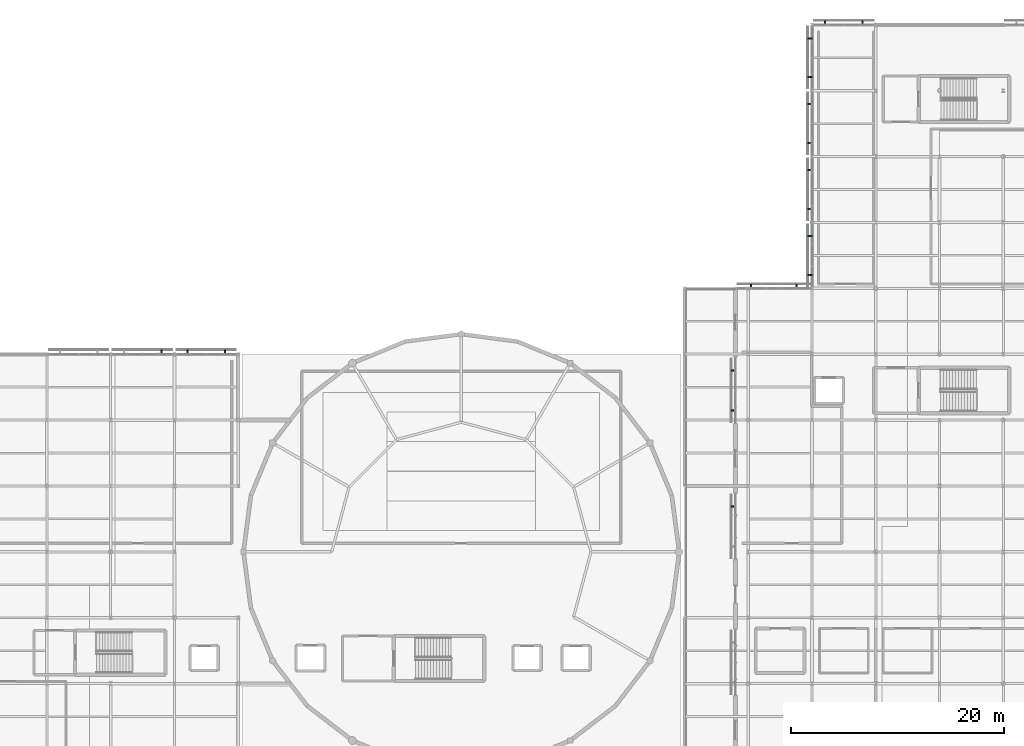
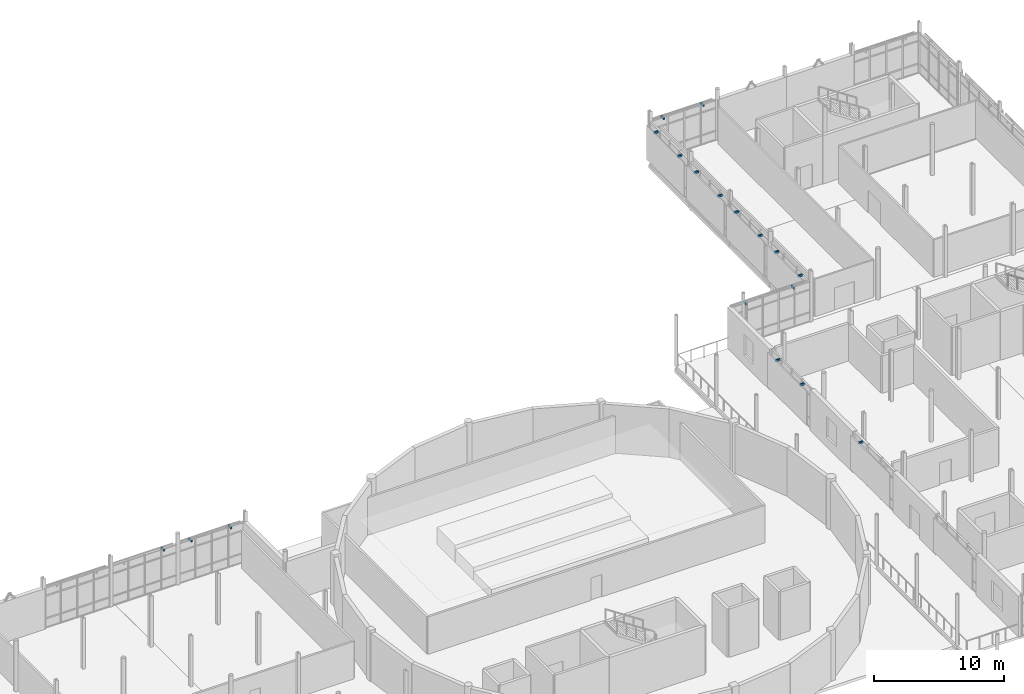
# One storey, part 68 of 84: 18 discrete accessories.
"""IFC4 building model written with IfcOpenShell, lengths in metres."""

from ifc_helpers import new_model, si_unit, direction, frame, origin, origin_2d, place, context, subcontext, project, spatial, rectangle, extrude, material, type_object, element, save


model = new_model("IFC4")

# Units and contexts
model_context = context("Model", 3, precision=1e-05, world=origin(), true_north=direction((0.0, 1.0)))
body_context = subcontext(model_context, "Body", "Model", "MODEL_VIEW")
ifc_project = project(units=[si_unit("LENGTHUNIT", "METRE"), si_unit("AREAUNIT", "SQUARE_METRE"), si_unit("VOLUMEUNIT", "CUBIC_METRE"), si_unit("PLANEANGLEUNIT", "RADIAN"), si_unit("MASSUNIT", "GRAM", prefix="KILO")], contexts=[model_context])

# Site, building, storey
site_placement = place(None, origin())
site = spatial("IfcSite", under=ifc_project, at=site_placement, CompositionType="ELEMENT")
building_placement = place(site_placement, origin())
building = spatial("IfcBuilding", under=site, at=building_placement, Name="Mirzam Square Science Centre", CompositionType="ELEMENT")
storey_placement = place(building_placement, frame((0.0, 0.0, 10.800048828125)))
storey = spatial("IfcBuildingStorey", under=building, at=storey_placement, Name="L02", CompositionType="ELEMENT", Elevation=10.800048828125)

# Discrete accessories
ifc_material = material(Name="Steel S355", Category="steel")
discrete_accessory_type = type_object("IfcDiscreteAccessoryType", Name="BRK-BRISE-STEEL", PredefinedType="BRACKET", material=ifc_material)
for number, where, z_axis, x_axis, name in (
    (1, (52.76708984375, 80.7900390625, 3.5), (0.0, 0.0, 1.0), (-1.0, 0.0, 0.0), "L02 brise-soleil support bracket 23"),
    (2, (58.76708984375, 80.7900390625, 3.5), (0.0, 0.0, 1.0), (-1.0, 0.0, 0.0), "L02 brise-soleil support bracket 24"),
    (3, (55.23291015625, 80.7900390625, 3.5), (0.0, 0.0, 1.0), (-1.0, 0.0, 0.0), "L02 brise-soleil support bracket 24"),
    (4, (112.527099609375, 86.989990234375, 3.5), (0.0, 0.0, 1.0), (-1.0, 0.0, 0.0), "L02 brise-soleil support bracket 99"),
    (5, (108.27294921875, 86.989990234375, 3.5), (0.0, 0.0, 1.0), (-1.0, 0.0, 0.0), "L02 brise-soleil support bracket 99"),
    (6, (106.610107421875, 79.0869140625, 3.5), (0.0, 0.0, 1.0), (0.0, -1.0, 0.0), "L02 brise-soleil support bracket 100"),
    (7, (106.610107421875, 75.31298828125, 3.5), (0.0, 0.0, 1.0), (0.0, -1.0, 0.0), "L02 brise-soleil support bracket 100"),
    (8, (106.610107421875, 66.287109375, 3.5), (0.0, 0.0, 1.0), (0.0, -1.0, 0.0), "L02 brise-soleil support bracket 101"),
    (9, (118.76708984375, 111.7900390625, 3.5), (0.0, 0.0, 1.0), (-1.0, 0.0, 0.0), "L02 brise-soleil support bracket 103"),
    (10, (115.23291015625, 111.7900390625, 3.5), (0.0, 0.0, 1.0), (-1.0, 0.0, 0.0), "L02 brise-soleil support bracket 103"),
    (11, (113.81005859375, 91.72705078125, 3.5), (0.0, 0.0, 1.0), (0.0, -1.0, 0.0), "L02 brise-soleil support bracket 105"),
    (12, (113.81005859375, 88.072998046875, 3.5), (0.0, 0.0, 1.0), (0.0, -1.0, 0.0), "L02 brise-soleil support bracket 105"),
    (13, (113.81005859375, 97.927001953125, 3.5), (0.0, 0.0, 1.0), (0.0, -1.0, 0.0), "L02 brise-soleil support bracket 107"),
    (14, (113.81005859375, 94.27294921875, 3.5), (0.0, 0.0, 1.0), (0.0, -1.0, 0.0), "L02 brise-soleil support bracket 107"),
    (15, (113.81005859375, 104.126953125, 3.5), (0.0, 0.0, 1.0), (0.0, -1.0, 0.0), "L02 brise-soleil support bracket 109"),
    (16, (113.81005859375, 100.472900390625, 3.5), (0.0, 0.0, 1.0), (0.0, -1.0, 0.0), "L02 brise-soleil support bracket 109"),
    (17, (113.81005859375, 110.326904296875, 3.5), (0.0, 0.0, 1.0), (0.0, -1.0, 0.0), "L02 brise-soleil support bracket 111"),
    (18, (113.81005859375, 106.673095703125, 3.5), (0.0, 0.0, 1.0), (0.0, -1.0, 0.0), "L02 brise-soleil support bracket 111"),
):
    element("IfcDiscreteAccessory", number, at=place(storey_placement, frame(where, z_axis=z_axis, x_axis=x_axis)), inside=storey, type_object=discrete_accessory_type, Name=name, PredefinedType="BRACKET", context=body_context, shape_type="SweptSolid", body=[
        extrude(rectangle(XDim=0.139892578125, YDim=0.419921875, at=origin_2d()), origin(), (0.0, 0.0, 1.0), 0.179931640625),
    ])

save(model, "model.ifc")
